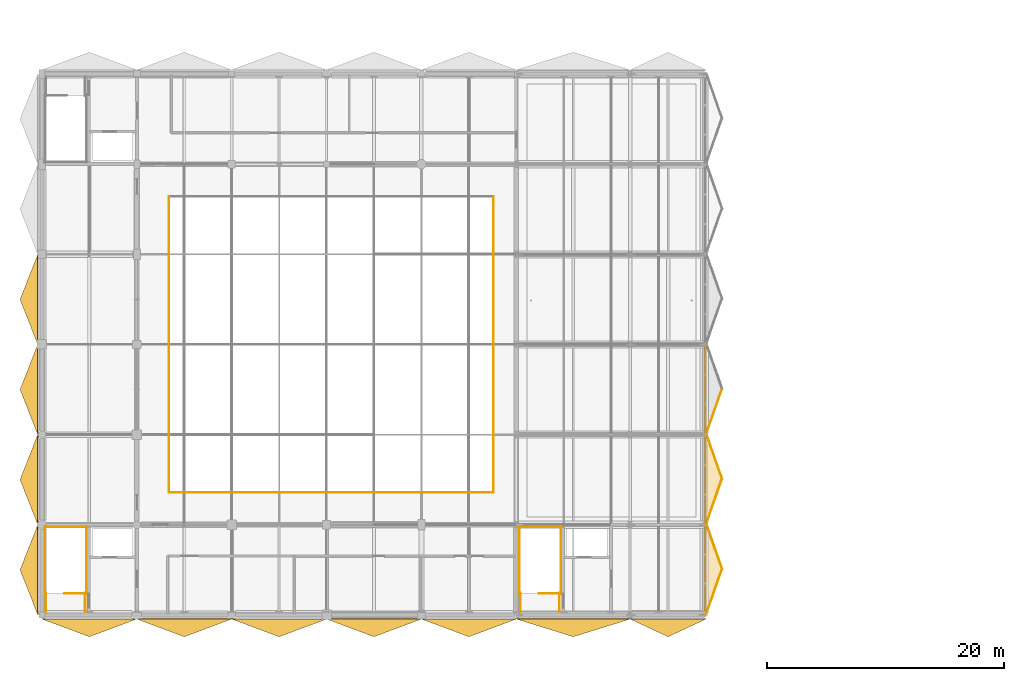
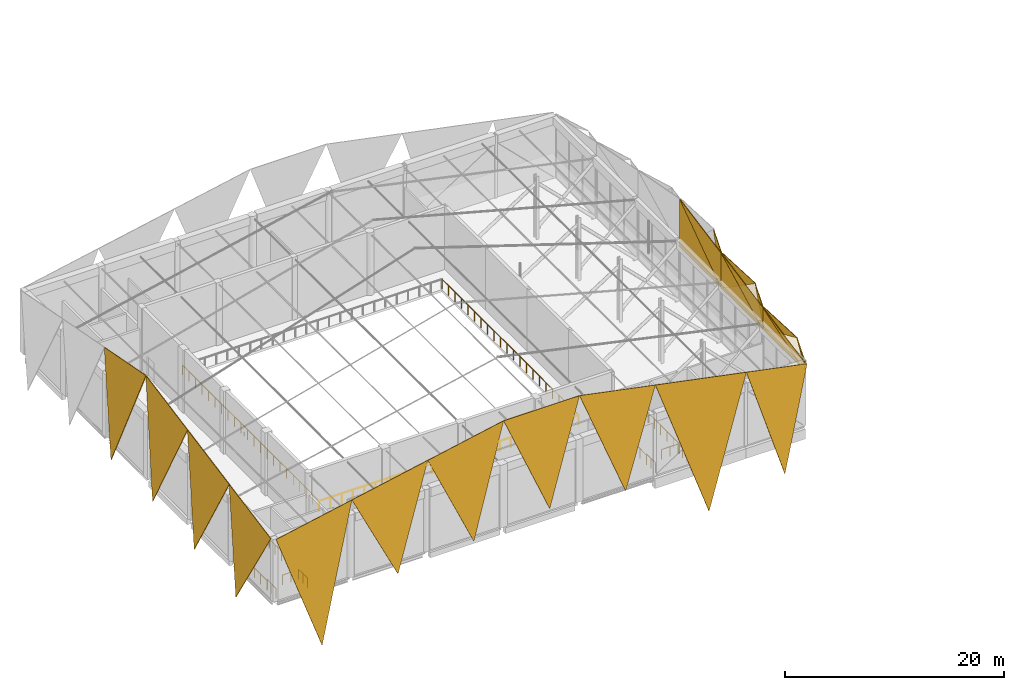
# One storey, part 42 of 46: 24 coverings, 15 railings.
"""IFC4 building model written with IfcOpenShell, lengths in metres."""

from ifc_helpers import new_model, si_unit, direction, frame, origin, origin_2d, place, context, subcontext, project, spatial, polyline, circle, outline, extrude, material, layer, layer_set, type_object, element, save


model = new_model("IFC4")

# Units and contexts
model_context = context("Model", 3, precision=1e-05, world=origin(), true_north=direction((0.0, 1.0)))
body_context = subcontext(model_context, "Body", "Model", "MODEL_VIEW")
ifc_project = project(units=[si_unit("LENGTHUNIT", "METRE"), si_unit("AREAUNIT", "SQUARE_METRE"), si_unit("VOLUMEUNIT", "CUBIC_METRE"), si_unit("PLANEANGLEUNIT", "RADIAN"), si_unit("MASSUNIT", "GRAM", prefix="KILO")], contexts=[model_context])

# Site, building, storey
site_placement = place(None, origin())
site = spatial("IfcSite", under=ifc_project, at=site_placement, CompositionType="ELEMENT")
building_placement = place(site_placement, origin())
building = spatial("IfcBuilding", under=site, at=building_placement, Name="Khelvaren Railside Concert Hall", CompositionType="ELEMENT")
storey_placement = place(building_placement, frame((0.0, 0.0, 19.800048828125)))
storey = spatial("IfcBuildingStorey", under=building, at=storey_placement, Name="L04", CompositionType="ELEMENT", Elevation=19.800048828125)

# Coverings
ifc_material_1 = material(Name="Precast architectural concrete C45/55", Category="concrete")
ifc_layer_1 = layer(ifc_material_1, 0.06005859375)
ifc_layer_set_1 = layer_set([ifc_layer_1], Name="Precast architectural concrete C45/55")
covering_type_1 = type_object("IfcCoveringType", Name="CLD31", PredefinedType="CLADDING", material=ifc_layer_set_1)
covering_1_placement = place(storey_placement, frame((0.0, -0.35498046875, 7.0), z_axis=(-0.022863849771, -0.993284884154, 0.113412447666), x_axis=(0.980278058899, 0.0, 0.197623195101)))
element("IfcCovering", 1, at=covering_1_placement, inside=storey, type_object=covering_type_1, Name="Main Hall Cut-Crystal Upper Facet S-1", PredefinedType="CLADDING", context=body_context, shape_type="SweptSolid", body=[
    extrude(outline(polyline([(0.0, 0.0), (8.160949770709868, 2.220446049250313e-16), (1.4927014309444315, -12.923013342475494), (0.0, 0.0)])), origin(), (0.0, 0.0, -1.0), 0.06005859375),
])
covering_2_placement = place(storey_placement, frame((16.0, -0.35498046875, 10.2255859375), z_axis=(-0.02888543386, -0.989260344965, 0.143281546582), x_axis=(0.980278058899, 0.0, 0.197623195101)))
element("IfcCovering", 2, at=covering_2_placement, inside=storey, type_object=covering_type_1, Name="Main Hall Cut-Crystal Upper Facet S-3", PredefinedType="CLADDING", context=body_context, shape_type="SweptSolid", body=[
    extrude(outline(polyline([(0.0, 0.0), (8.160949770709868, 0.0), (2.040459276155999, -10.229025365477508), (0.0, 0.0)])), origin(), (0.0, 0.0, -1.0), 0.06005859375),
])
covering_3_placement = place(storey_placement, frame((32.0, -0.35498046875, 11.83837890625), z_axis=(0.02888543386, -0.989260344965, 0.143281546582), x_axis=(0.980278058899, 0.0, -0.197623195101)))
element("IfcCovering", 3, at=covering_3_placement, inside=storey, type_object=covering_type_1, Name="Main Hall Cut-Crystal Upper Facet S-5", PredefinedType="CLADDING", context=body_context, shape_type="SweptSolid", body=[
    extrude(outline(polyline([(0.0, 0.0), (8.160949770709868, 0.0), (6.120490494553868, -10.229025365477508), (0.0, 0.0)])), origin(), (0.0, 0.0, -1.0), 0.06005859375),
])
covering_4_placement = place(storey_placement, frame((49.60009765625, -0.35498046875, 8.2900390625), z_axis=(0.027340360851, -0.990381442146, 0.135635923421), x_axis=(0.980283269929, 0.0, -0.197597344865)))
element("IfcCovering", 4, at=covering_4_placement, inside=storey, type_object=covering_type_1, Name="Main Hall Cut-Crystal Upper Facet S-7", PredefinedType="CLADDING", context=body_context, shape_type="SweptSolid", body=[
    extrude(outline(polyline([(0.0, 0.0), (6.52862549027838, 0.0), (5.421481415306211, -10.805679856202653), (0.0, 0.0)])), origin(), (0.0, 0.0, -1.0), 0.06005859375),
])
covering_5_placement = place(storey_placement, frame((-0.35498046875, 0.0, 7.0), z_axis=(-0.986078035096, -0.031242573654, 0.163321799806), x_axis=(0.0, 0.982190514712, 0.187887713303)))
element("IfcCovering", 5, at=covering_5_placement, inside=storey, type_object=covering_type_1, Name="Main Hall Cut-Crystal West Upper Facet 1", PredefinedType="CLADDING", context=body_context, shape_type="SweptSolid", body=[
    extrude(outline(polyline([(0.0, 0.0), (7.7379057753165865, 2.220446049250313e-16), (2.1728947198101594, 8.99138952478272), (0.0, 0.0)])), origin(), (0.0, 0.0, -1.0), 0.06005859375),
])
covering_6_placement = place(storey_placement, frame((-0.35498046875, 15.199951171875, 9.90771484375), z_axis=(-0.989616783712, -0.027005302669, 0.141171296741), x_axis=(0.0, 0.982190514712, 0.187887713303)))
element("IfcCovering", 6, at=covering_6_placement, inside=storey, type_object=covering_type_1, Name="Main Hall Cut-Crystal West Upper Facet 3", PredefinedType="CLADDING", context=body_context, shape_type="SweptSolid", body=[
    extrude(outline(polyline([(0.0, 0.0), (7.7379057753165865, 0.0), (1.8997327733460925, 10.402184819746088), (0.0, 0.0)])), origin(), (0.0, 0.0, -1.0), 0.06005859375),
])
covering_7_placement = place(storey_placement, frame((55.97998046875, 0.0, 6.02001953125), z_axis=(1.0, 0.0, 0.0), x_axis=(0.0, 1.0, 0.0)))
element("IfcCovering", 7, at=covering_7_placement, inside=storey, type_object=covering_type_1, Name="Main Hall East Gable Infill Cladding Panel 1A", PredefinedType="CLADDING", context=body_context, shape_type="SweptSolid", body=[
    extrude(outline(polyline([(0.0, 0.0), (7.60009765625, 0.0), (7.60009765625, 2.433837890625), (0.0, 0.0)])), origin(), (0.0, 0.0, -1.0), 0.06005859375),
])
covering_8_placement = place(storey_placement, frame((56.02001953125, 0.0, 7.0), z_axis=(0.943853629361, -0.330363930148, 0.0), x_axis=(0.0, 0.0, -1.0)))
element("IfcCovering", 8, at=covering_8_placement, inside=storey, type_object=covering_type_1, Name="Main Hall East Plaza Crystal Brow South Flank 1", PredefinedType="CLADDING", context=body_context, shape_type="SweptSolid", body=[
    extrude(outline(polyline([(0.0, 0.0), (0.97998046875, 0.0), (0.123046875, 4.02609971495214), (0.0, 0.0)])), origin(), (0.0, 0.0, -1.0), 0.06005859375),
])
covering_9_placement = place(storey_placement, frame((55.97998046875, 7.60009765625, 6.02001953125), z_axis=(1.0, 0.0, 0.0), x_axis=(0.0, 0.890276748559, 0.455419928171)))
element("IfcCovering", 9, at=covering_9_placement, inside=storey, type_object=covering_type_1, Name="Main Hall East Gable Infill Cladding Panel 2B", PredefinedType="CLADDING", context=body_context, shape_type="SweptSolid", body=[
    extrude(outline(polyline([(0.0, 0.0), (8.536506797384522, 0.0), (1.1084182773294042, 2.166789283784666), (0.0, 0.0)])), origin(), (0.0, 0.0, -1.0), 0.06005859375),
])
covering_10_placement = place(storey_placement, frame((56.02001953125, 7.60009765625, 6.02001953125), z_axis=(-0.866683642513, 0.0, 0.498858160001), x_axis=(0.0, 1.0, 0.0)))
element("IfcCovering", 10, at=covering_10_placement, inside=storey, type_object=covering_type_1, Name="Main Hall East Plaza Crystal Brow Lower Facet 2", PredefinedType="CLADDING", context=body_context, shape_type="SweptSolid", body=[
    extrude(outline(polyline([(0.0, 0.0), (7.599853515625, 0.0), (3.7998046875, -2.6662451006043564), (0.0, 0.0)])), origin(), (0.0, 0.0, -1.0), 0.06005859375),
])
covering_11_placement = place(storey_placement, frame((56.02001953125, 15.199951171875, 9.90771484375), z_axis=(-0.943853629361, -0.330363930148, 0.0), x_axis=(0.0, 0.0, -1.0)))
element("IfcCovering", 11, at=covering_11_placement, inside=storey, type_object=covering_type_1, Name="Main Hall East Plaza Crystal Brow North Flank 2", PredefinedType="CLADDING", context=body_context, shape_type="SweptSolid", body=[
    extrude(outline(polyline([(0.0, 0.0), (3.8876953125, 0.0), (1.576904296875, 4.02609971495214), (0.0, 0.0)])), origin(), (0.0, 0.0, -1.0), 0.06005859375),
])
covering_12_placement = place(storey_placement, frame((55.97998046875, 15.199951171875, 6.02001953125), z_axis=(1.0, 0.0, 0.0), x_axis=(0.0, 1.0, 0.0)))
element("IfcCovering", 12, at=covering_12_placement, inside=storey, type_object=covering_type_1, Name="Main Hall East Gable Infill Cladding Panel 3A", PredefinedType="CLADDING", context=body_context, shape_type="SweptSolid", body=[
    extrude(outline(polyline([(0.0, 0.0), (7.60009765625, 0.0), (7.60009765625, 5.341552734375), (0.0, 0.0)])), origin(), (0.0, 0.0, -1.0), 0.06005859375),
])
covering_13_placement = place(storey_placement, frame((56.02001953125, 15.199951171875, 9.90771484375), z_axis=(0.943853629361, -0.330363930148, 0.0), x_axis=(0.0, 0.0, -1.0)))
element("IfcCovering", 13, at=covering_13_placement, inside=storey, type_object=covering_type_1, Name="Main Hall East Plaza Crystal Brow South Flank 3", PredefinedType="CLADDING", context=body_context, shape_type="SweptSolid", body=[
    extrude(outline(polyline([(0.0, 0.0), (3.8876953125, 0.0), (0.123046875, 4.02609971495214), (0.0, 0.0)])), origin(), (0.0, 0.0, -1.0), 0.06005859375),
])
ifc_material_2 = material(Name="Board-marked precast concrete C45/55", Category="concrete")
ifc_layer_2 = layer(ifc_material_2, 0.070068359375)
ifc_layer_set_2 = layer_set([ifc_layer_2], Name="Board-marked precast concrete C45/55")
covering_type_2 = type_object("IfcCoveringType", Name="CLD68", PredefinedType="CLADDING", material=ifc_layer_set_2)
covering_14_placement = place(storey_placement, frame((8.0, -0.35498046875, 8.61279296875), z_axis=(-0.031171245565, -0.987482164505, 0.154619947724), x_axis=(0.980278058899, 0.0, 0.197623195101)))
element("IfcCovering", 14, at=covering_14_placement, inside=storey, type_object=covering_type_2, Name="Main Hall Cut-Crystal Upper Facet S-2", PredefinedType="CLADDING", context=body_context, shape_type="SweptSolid", body=[
    extrude(outline(polyline([(0.0, 0.0), (8.160949770709868, 0.0), (2.1934532096683643, -9.478922971862874), (0.0, 0.0)])), origin(), (0.0, 0.0, -1.0), 0.070068359375),
])
covering_15_placement = place(storey_placement, frame((24.0, -0.35498046875, 11.83837890625), z_axis=(0.0, -0.989609532386, 0.143780991135), x_axis=(1.0, 0.0, 0.0)))
element("IfcCovering", 15, at=covering_15_placement, inside=storey, type_object=covering_type_2, Name="Main Hall Cut-Crystal Upper Facet S-4", PredefinedType="CLADDING", context=body_context, shape_type="SweptSolid", body=[
    extrude(outline(polyline([(0.0, 0.0), (8.0, 0.0), (4.0, -10.398573383730307), (0.0, 0.0)])), origin(), (0.0, 0.0, -1.0), 0.070068359375),
])
covering_16_placement = place(storey_placement, frame((40.0, -0.35498046875, 10.2255859375), z_axis=(0.021595443872, -0.994012509736, 0.107111004533), x_axis=(0.980274584619, 0.0, -0.197640427925)))
element("IfcCovering", 16, at=covering_16_placement, inside=storey, type_object=covering_type_2, Name="Main Hall Cut-Crystal Upper Facet S-6", PredefinedType="CLADDING", context=body_context, shape_type="SweptSolid", body=[
    extrude(outline(polyline([(0.0, 0.0), (9.793274054924582, -2.220446049250313e-16), (7.638897964918699, -13.683238116588436), (0.0, 0.0)])), origin(), (0.0, 0.0, -1.0), 0.070068359375),
])
covering_17_placement = place(storey_placement, frame((-0.35498046875, 7.60009765625, 8.453857421875), z_axis=(-0.988039769187, -0.028973045866, 0.151452887452), x_axis=(0.0, 0.982189400844, 0.187893535996)))
element("IfcCovering", 17, at=covering_17_placement, inside=storey, type_object=covering_type_2, Name="Main Hall Cut-Crystal West Upper Facet 2", PredefinedType="CLADDING", context=body_context, shape_type="SweptSolid", body=[
    extrude(outline(polyline([(0.0, 0.0), (7.737665982846423, -2.220446049250313e-16), (2.0360400963902396, 9.696006984686937), (0.0, 0.0)])), origin(), (0.0, 0.0, -1.0), 0.070068359375),
])
covering_18_placement = place(storey_placement, frame((-0.35498046875, 22.800048828125, 11.361572265625), z_axis=(-0.989616714975, 0.027006228494, 0.141171601477), x_axis=(0.0, 0.982189400844, -0.187893535996)))
element("IfcCovering", 18, at=covering_18_placement, inside=storey, type_object=covering_type_2, Name="Main Hall Cut-Crystal West Upper Facet 4", PredefinedType="CLADDING", context=body_context, shape_type="SweptSolid", body=[
    extrude(outline(polyline([(0.0, 0.0), (7.737665982846423, -2.220446049250313e-16), (5.838234028594089, 10.402150568630466), (0.0, 0.0)])), origin(), (0.0, 0.0, -1.0), 0.070068359375),
])
covering_19_placement = place(storey_placement, frame((55.97998046875, 0.0, 6.02001953125), z_axis=(1.0, 0.0, 0.0), x_axis=(0.0, 0.952358410169, 0.304981079055)))
element("IfcCovering", 19, at=covering_19_placement, inside=storey, type_object=covering_type_2, Name="Main Hall East Gable Infill Cladding Panel 1B", PredefinedType="CLADDING", context=body_context, shape_type="SweptSolid", body=[
    extrude(outline(polyline([(0.0, 0.0), (7.980291427158453, 4.440892098500626e-16), (0.29887550081181274, 0.9332926412149395), (0.0, 0.0)])), origin(), (0.0, 0.0, -1.0), 0.070068359375),
])
covering_20_placement = place(storey_placement, frame((56.02001953125, 0.0, 6.02001953125), z_axis=(-0.54159957451, 0.0, 0.840636604539), x_axis=(0.0, 1.0, 0.0)))
element("IfcCovering", 20, at=covering_20_placement, inside=storey, type_object=covering_type_2, Name="Main Hall East Plaza Crystal Brow Lower Facet 1", PredefinedType="CLADDING", context=body_context, shape_type="SweptSolid", body=[
    extrude(outline(polyline([(0.0, 0.0), (7.60009765625, 0.0), (3.800048828125, -1.5822272285297097), (0.0, 0.0)])), origin(), (0.0, 0.0, -1.0), 0.070068359375),
])
covering_21_placement = place(storey_placement, frame((56.02001953125, 7.60009765625, 8.453857421875), z_axis=(-0.943853629361, -0.330363930148, 0.0), x_axis=(0.0, 0.0, -1.0)))
element("IfcCovering", 21, at=covering_21_placement, inside=storey, type_object=covering_type_2, Name="Main Hall East Plaza Crystal Brow North Flank 1", PredefinedType="CLADDING", context=body_context, shape_type="SweptSolid", body=[
    extrude(outline(polyline([(0.0, 0.0), (2.433837890625, 0.0), (1.576904296875, 4.02609971495214), (0.0, 0.0)])), origin(), (0.0, 0.0, -1.0), 0.070068359375),
])
covering_22_placement = place(storey_placement, frame((55.97998046875, 7.60009765625, 6.02001953125), z_axis=(1.0, 0.0, 0.0), x_axis=(0.0, 1.0, 0.0)))
element("IfcCovering", 22, at=covering_22_placement, inside=storey, type_object=covering_type_2, Name="Main Hall East Gable Infill Cladding Panel 2A", PredefinedType="CLADDING", context=body_context, shape_type="SweptSolid", body=[
    extrude(outline(polyline([(0.0, 0.0), (7.599853515625, 0.0), (7.599853515625, 3.8876953125), (0.0, 0.0)])), origin(), (0.0, 0.0, -1.0), 0.070068359375),
])
covering_23_placement = place(storey_placement, frame((56.02001953125, 7.60009765625, 8.453857421875), z_axis=(0.943847010579, -0.330382839478, 0.0), x_axis=(0.0, 0.0, -1.0)))
element("IfcCovering", 23, at=covering_23_placement, inside=storey, type_object=covering_type_2, Name="Main Hall East Plaza Crystal Brow South Flank 2", PredefinedType="CLADDING", context=body_context, shape_type="SweptSolid", body=[
    extrude(outline(polyline([(0.0, 0.0), (2.433837890625, 0.0), (0.123046875, 4.025869282745093), (0.0, 0.0)])), origin(), (0.0, 0.0, -1.0), 0.070068359375),
])
covering_24_placement = place(storey_placement, frame((55.97998046875, 15.199951171875, 6.02001953125), z_axis=(1.0, 0.0, 0.0), x_axis=(0.0, 0.818143911779, 0.575013512554)))
element("IfcCovering", 24, at=covering_24_placement, inside=storey, type_object=covering_type_2, Name="Main Hall East Gable Infill Cladding Panel 3B", PredefinedType="CLADDING", context=body_context, shape_type="SweptSolid", body=[
    extrude(outline(polyline([(0.0, 0.0), (9.28943862666877, -8.881784197001252e-16), (2.2354773373800882, 3.1806942507720706), (0.0, 0.0)])), origin(), (0.0, 0.0, -1.0), 0.070068359375),
])

# Railings
ifc_material_3 = material(Name="Painted architectural steel", Category="steel")
railing_type_1 = type_object("IfcRailingType", Name="GRD86", PredefinedType="GUARDRAIL", material=ifc_material_3)
railing_1_placement = place(storey_placement, frame((3.699951171875, 1.7900390625, 0.0)))
element("IfcRailing", 25, at=railing_1_placement, inside=storey, type_object=railing_type_1, Name="L04 ST-01 top well guard 1", PredefinedType="GUARDRAIL", context=body_context, shape_type="SweptSolid", body=[
    extrude(circle(Radius=0.02392578125, at=origin_2d()), frame((0.0, 0.0, 1.076171875), z_axis=(-1.0, 0.0, 0.0), x_axis=(0.0, -1.0, 0.0)), (0.0, 0.0, 1.0), 1.800048828125),
    extrude(circle(Radius=0.02099609375, at=origin_2d()), origin(), (0.0, 0.0, 1.0), 1.052001953125),
    extrude(circle(Radius=0.02099609375, at=origin_2d()), frame((-0.89990234375, 0.0, 0.0)), (0.0, 0.0, 1.0), 1.052001953125),
    extrude(circle(Radius=0.02099609375, at=origin_2d()), frame((-1.800048828125, 0.0, 0.0)), (0.0, 0.0, 1.0), 1.052001953125),
])
for number, where, name in (
    (26, (3.75, 1.739990234375, 0.0), "L04 ST-01 top well guard 2"),
    (27, (0.25, 1.739990234375, 0.0), "L04 ST-01 top well guard 3"),
):
    element("IfcRailing", number, at=place(storey_placement, frame(where)), inside=storey, type_object=railing_type_1, Name=name, PredefinedType="GUARDRAIL", context=body_context, shape_type="SweptSolid", body=[
        extrude(circle(Radius=0.02392578125, at=origin_2d()), frame((0.0, 0.0, 1.076171875), z_axis=(0.0, 1.0, 0.0), x_axis=(-1.0, 0.0, 0.0)), (0.0, 0.0, 1.0), 5.719970703125),
        extrude(circle(Radius=0.02099609375, at=origin_2d()), origin(), (0.0, 0.0, 1.0), 1.052001953125),
        extrude(circle(Radius=0.02099609375, at=origin_2d()), frame((0.0, 1.14404296875, 0.0)), (0.0, 0.0, 1.0), 1.052001953125),
        extrude(circle(Radius=0.02099609375, at=origin_2d()), frame((0.0, 2.2880859375, 0.0)), (0.0, 0.0, 1.0), 1.052001953125),
        extrude(circle(Radius=0.02099609375, at=origin_2d()), frame((0.0, 3.431884765625, 0.0)), (0.0, 0.0, 1.0), 1.052001953125),
        extrude(circle(Radius=0.02099609375, at=origin_2d()), frame((0.0, 4.575927734375, 0.0)), (0.0, 0.0, 1.0), 1.052001953125),
        extrude(circle(Radius=0.02099609375, at=origin_2d()), frame((0.0, 5.719970703125, 0.0)), (0.0, 0.0, 1.0), 1.052001953125),
    ])
railing_2_placement = place(storey_placement, frame((3.800048828125, 7.409912109375, 0.0)))
element("IfcRailing", 28, at=railing_2_placement, inside=storey, type_object=railing_type_1, Name="L04 ST-01 top well guard 4", PredefinedType="GUARDRAIL", context=body_context, shape_type="SweptSolid", body=[
    extrude(circle(Radius=0.02392578125, at=origin_2d()), frame((0.0, 0.0, 1.076171875), z_axis=(-1.0, 0.0, 0.0), x_axis=(0.0, -1.0, 0.0)), (0.0, 0.0, 1.0), 3.60009765625),
    extrude(circle(Radius=0.02099609375, at=origin_2d()), origin(), (0.0, 0.0, 1.0), 1.052001953125),
    extrude(circle(Radius=0.02099609375, at=origin_2d()), frame((-0.89990234375, 0.0, 0.0)), (0.0, 0.0, 1.0), 1.052001953125),
    extrude(circle(Radius=0.02099609375, at=origin_2d()), frame((-1.800048828125, 0.0, 0.0)), (0.0, 0.0, 1.0), 1.052001953125),
    extrude(circle(Radius=0.02099609375, at=origin_2d()), frame((-2.7001953125, 0.0, 0.0)), (0.0, 0.0, 1.0), 1.052001953125),
    extrude(circle(Radius=0.02099609375, at=origin_2d()), frame((-3.60009765625, 0.0, 0.0)), (0.0, 0.0, 1.0), 1.052001953125),
])
for number, where, name in (
    (29, (3.64990234375, 0.239990234375, 0.0), "L04 ST-01 top well guard 5"),
    (30, (0.35009765625, 0.239990234375, 0.0), "L04 ST-01 top well guard 6"),
):
    element("IfcRailing", number, at=place(storey_placement, frame(where)), inside=storey, type_object=railing_type_1, Name=name, PredefinedType="GUARDRAIL", context=body_context, shape_type="SweptSolid", body=[
        extrude(circle(Radius=0.02392578125, at=origin_2d()), frame((0.0, 0.0, 1.076171875), z_axis=(0.0, 1.0, 0.0), x_axis=(-1.0, 0.0, 0.0)), (0.0, 0.0, 1.0), 1.60009765625),
        extrude(circle(Radius=0.02099609375, at=origin_2d()), origin(), (0.0, 0.0, 1.0), 1.052001953125),
        extrude(circle(Radius=0.02099609375, at=origin_2d()), frame((0.0, 0.800048828125, 0.0)), (0.0, 0.0, 1.0), 1.052001953125),
        extrude(circle(Radius=0.02099609375, at=origin_2d()), frame((0.0, 1.60009765625, 0.0)), (0.0, 0.0, 1.0), 1.052001953125),
    ])
railing_3_placement = place(storey_placement, frame((43.699951171875, 1.7900390625, 0.0)))
element("IfcRailing", 31, at=railing_3_placement, inside=storey, type_object=railing_type_1, Name="L04 ST-02 top well guard 1", PredefinedType="GUARDRAIL", context=body_context, shape_type="SweptSolid", body=[
    extrude(circle(Radius=0.02392578125, at=origin_2d()), frame((0.0, 0.0, 1.076171875), z_axis=(-1.0, 0.0, 0.0), x_axis=(0.0, -1.0, 0.0)), (0.0, 0.0, 1.0), 1.800048828125),
    extrude(circle(Radius=0.02099609375, at=origin_2d()), origin(), (0.0, 0.0, 1.0), 1.052001953125),
    extrude(circle(Radius=0.02099609375, at=origin_2d()), frame((-0.89990234375, 0.0, 0.0)), (0.0, 0.0, 1.0), 1.052001953125),
    extrude(circle(Radius=0.02099609375, at=origin_2d()), frame((-1.800048828125, 0.0, 0.0)), (0.0, 0.0, 1.0), 1.052001953125),
])
for number, where, name in (
    (32, (43.75, 1.739990234375, 0.0), "L04 ST-02 top well guard 2"),
    (33, (40.25, 1.739990234375, 0.0), "L04 ST-02 top well guard 3"),
):
    element("IfcRailing", number, at=place(storey_placement, frame(where)), inside=storey, type_object=railing_type_1, Name=name, PredefinedType="GUARDRAIL", context=body_context, shape_type="SweptSolid", body=[
        extrude(circle(Radius=0.02392578125, at=origin_2d()), frame((0.0, 0.0, 1.076171875), z_axis=(0.0, 1.0, 0.0), x_axis=(-1.0, 0.0, 0.0)), (0.0, 0.0, 1.0), 5.719970703125),
        extrude(circle(Radius=0.02099609375, at=origin_2d()), origin(), (0.0, 0.0, 1.0), 1.052001953125),
        extrude(circle(Radius=0.02099609375, at=origin_2d()), frame((0.0, 1.14404296875, 0.0)), (0.0, 0.0, 1.0), 1.052001953125),
        extrude(circle(Radius=0.02099609375, at=origin_2d()), frame((0.0, 2.2880859375, 0.0)), (0.0, 0.0, 1.0), 1.052001953125),
        extrude(circle(Radius=0.02099609375, at=origin_2d()), frame((0.0, 3.431884765625, 0.0)), (0.0, 0.0, 1.0), 1.052001953125),
        extrude(circle(Radius=0.02099609375, at=origin_2d()), frame((0.0, 4.575927734375, 0.0)), (0.0, 0.0, 1.0), 1.052001953125),
        extrude(circle(Radius=0.02099609375, at=origin_2d()), frame((0.0, 5.719970703125, 0.0)), (0.0, 0.0, 1.0), 1.052001953125),
    ])
railing_4_placement = place(storey_placement, frame((43.800048828125, 7.409912109375, 0.0)))
element("IfcRailing", 34, at=railing_4_placement, inside=storey, type_object=railing_type_1, Name="L04 ST-02 top well guard 4", PredefinedType="GUARDRAIL", context=body_context, shape_type="SweptSolid", body=[
    extrude(circle(Radius=0.02392578125, at=origin_2d()), frame((0.0, 0.0, 1.076171875), z_axis=(-1.0, 0.0, 0.0), x_axis=(0.0, -1.0, 0.0)), (0.0, 0.0, 1.0), 3.60009765625),
    extrude(circle(Radius=0.02099609375, at=origin_2d()), origin(), (0.0, 0.0, 1.0), 1.052001953125),
    extrude(circle(Radius=0.02099609375, at=origin_2d()), frame((-0.89990234375, 0.0, 0.0)), (0.0, 0.0, 1.0), 1.052001953125),
    extrude(circle(Radius=0.02099609375, at=origin_2d()), frame((-1.800048828125, 0.0, 0.0)), (0.0, 0.0, 1.0), 1.052001953125),
    extrude(circle(Radius=0.02099609375, at=origin_2d()), frame((-2.7001953125, 0.0, 0.0)), (0.0, 0.0, 1.0), 1.052001953125),
    extrude(circle(Radius=0.02099609375, at=origin_2d()), frame((-3.60009765625, 0.0, 0.0)), (0.0, 0.0, 1.0), 1.052001953125),
])
for number, where, name in (
    (35, (43.64990234375, 0.239990234375, 0.0), "L04 ST-02 top well guard 5"),
    (36, (40.35009765625, 0.239990234375, 0.0), "L04 ST-02 top well guard 6"),
):
    element("IfcRailing", number, at=place(storey_placement, frame(where)), inside=storey, type_object=railing_type_1, Name=name, PredefinedType="GUARDRAIL", context=body_context, shape_type="SweptSolid", body=[
        extrude(circle(Radius=0.02392578125, at=origin_2d()), frame((0.0, 0.0, 1.076171875), z_axis=(0.0, 1.0, 0.0), x_axis=(-1.0, 0.0, 0.0)), (0.0, 0.0, 1.0), 1.60009765625),
        extrude(circle(Radius=0.02099609375, at=origin_2d()), origin(), (0.0, 0.0, 1.0), 1.052001953125),
        extrude(circle(Radius=0.02099609375, at=origin_2d()), frame((0.0, 0.800048828125, 0.0)), (0.0, 0.0, 1.0), 1.052001953125),
        extrude(circle(Radius=0.02099609375, at=origin_2d()), frame((0.0, 1.60009765625, 0.0)), (0.0, 0.0, 1.0), 1.052001953125),
    ])
ifc_material_4 = material(Name="Acoustic bronze and laminated glass guardrail", Category="glass")
railing_type_2 = type_object("IfcRailingType", Name="GRD91", PredefinedType="GUARDRAIL", material=ifc_material_4)
railing_5_placement = place(storey_placement, frame((10.719970703125, 10.320068359375, 0.0)))
element("IfcRailing", 37, at=railing_5_placement, inside=storey, type_object=railing_type_2, Name="V1 L04 Acoustic Bowl Edge Guardrail S", PredefinedType="GUARDRAIL", context=body_context, shape_type="SweptSolid", body=[
    extrude(circle(Radius=0.02392578125, at=origin_2d()), frame((0.0, 0.0, 1.076171875), z_axis=(1.0, 0.0, 0.0), x_axis=(0.0, 1.0, 0.0)), (0.0, 0.0, 1.0), 27.360107421875),
    extrude(circle(Radius=0.02099609375, at=origin_2d()), origin(), (0.0, 0.0, 1.0), 1.052001953125),
    extrude(circle(Radius=0.02099609375, at=origin_2d()), frame((1.189453125, 0.0, 0.0)), (0.0, 0.0, 1.0), 1.052001953125),
    extrude(circle(Radius=0.02099609375, at=origin_2d()), frame((2.379150390625, 0.0, 0.0)), (0.0, 0.0, 1.0), 1.052001953125),
    extrude(circle(Radius=0.02099609375, at=origin_2d()), frame((3.568603515625, 0.0, 0.0)), (0.0, 0.0, 1.0), 1.052001953125),
    extrude(circle(Radius=0.02099609375, at=origin_2d()), frame((4.75830078125, 0.0, 0.0)), (0.0, 0.0, 1.0), 1.052001953125),
    extrude(circle(Radius=0.02099609375, at=origin_2d()), frame((5.94775390625, 0.0, 0.0)), (0.0, 0.0, 1.0), 1.052001953125),
    extrude(circle(Radius=0.02099609375, at=origin_2d()), frame((7.137451171875, 0.0, 0.0)), (0.0, 0.0, 1.0), 1.052001953125),
    extrude(circle(Radius=0.02099609375, at=origin_2d()), frame((8.326904296875, 0.0, 0.0)), (0.0, 0.0, 1.0), 1.052001953125),
    extrude(circle(Radius=0.02099609375, at=origin_2d()), frame((9.5166015625, 0.0, 0.0)), (0.0, 0.0, 1.0), 1.052001953125),
    extrude(circle(Radius=0.02099609375, at=origin_2d()), frame((10.7060546875, 0.0, 0.0)), (0.0, 0.0, 1.0), 1.052001953125),
    extrude(circle(Radius=0.02099609375, at=origin_2d()), frame((11.895751953125, 0.0, 0.0)), (0.0, 0.0, 1.0), 1.052001953125),
    extrude(circle(Radius=0.02099609375, at=origin_2d()), frame((13.085205078125, 0.0, 0.0)), (0.0, 0.0, 1.0), 1.052001953125),
    extrude(circle(Radius=0.02099609375, at=origin_2d()), frame((14.27490234375, 0.0, 0.0)), (0.0, 0.0, 1.0), 1.052001953125),
    extrude(circle(Radius=0.02099609375, at=origin_2d()), frame((15.46435546875, 0.0, 0.0)), (0.0, 0.0, 1.0), 1.052001953125),
    extrude(circle(Radius=0.02099609375, at=origin_2d()), frame((16.654052734375, 0.0, 0.0)), (0.0, 0.0, 1.0), 1.052001953125),
    extrude(circle(Radius=0.02099609375, at=origin_2d()), frame((17.843505859375, 0.0, 0.0)), (0.0, 0.0, 1.0), 1.052001953125),
    extrude(circle(Radius=0.02099609375, at=origin_2d()), frame((19.033203125, 0.0, 0.0)), (0.0, 0.0, 1.0), 1.052001953125),
    extrude(circle(Radius=0.02099609375, at=origin_2d()), frame((20.22265625, 0.0, 0.0)), (0.0, 0.0, 1.0), 1.052001953125),
    extrude(circle(Radius=0.02099609375, at=origin_2d()), frame((21.412353515625, 0.0, 0.0)), (0.0, 0.0, 1.0), 1.052001953125),
    extrude(circle(Radius=0.02099609375, at=origin_2d()), frame((22.601806640625, 0.0, 0.0)), (0.0, 0.0, 1.0), 1.052001953125),
    extrude(circle(Radius=0.02099609375, at=origin_2d()), frame((23.79150390625, 0.0, 0.0)), (0.0, 0.0, 1.0), 1.052001953125),
    extrude(circle(Radius=0.02099609375, at=origin_2d()), frame((24.98095703125, 0.0, 0.0)), (0.0, 0.0, 1.0), 1.052001953125),
    extrude(circle(Radius=0.02099609375, at=origin_2d()), frame((26.170654296875, 0.0, 0.0)), (0.0, 0.0, 1.0), 1.052001953125),
    extrude(circle(Radius=0.02099609375, at=origin_2d()), frame((27.360107421875, 0.0, 0.0)), (0.0, 0.0, 1.0), 1.052001953125),
])
railing_6_placement = place(storey_placement, frame((10.719970703125, 35.280029296875, 0.0)))
element("IfcRailing", 38, at=railing_6_placement, inside=storey, type_object=railing_type_2, Name="V1 L04 Acoustic Bowl Edge Guardrail W", PredefinedType="GUARDRAIL", context=body_context, shape_type="SweptSolid", body=[
    extrude(circle(Radius=0.02392578125, at=origin_2d()), frame((0.0, 0.0, 1.076171875), z_axis=(0.0, -1.0, 0.0), x_axis=(1.0, 0.0, 0.0)), (0.0, 0.0, 1.0), 24.9599609375),
    extrude(circle(Radius=0.02099609375, at=origin_2d()), origin(), (0.0, 0.0, 1.0), 1.052001953125),
    extrude(circle(Radius=0.02099609375, at=origin_2d()), frame((0.0, -1.1884765625, 0.0)), (0.0, 0.0, 1.0), 1.052001953125),
    extrude(circle(Radius=0.02099609375, at=origin_2d()), frame((0.0, -2.377197265625, 0.0)), (0.0, 0.0, 1.0), 1.052001953125),
    extrude(circle(Radius=0.02099609375, at=origin_2d()), frame((0.0, -3.565673828125, 0.0)), (0.0, 0.0, 1.0), 1.052001953125),
    extrude(circle(Radius=0.02099609375, at=origin_2d()), frame((0.0, -4.75439453125, 0.0)), (0.0, 0.0, 1.0), 1.052001953125),
    extrude(circle(Radius=0.02099609375, at=origin_2d()), frame((0.0, -5.94287109375, 0.0)), (0.0, 0.0, 1.0), 1.052001953125),
    extrude(circle(Radius=0.02099609375, at=origin_2d()), frame((0.0, -7.13134765625, 0.0)), (0.0, 0.0, 1.0), 1.052001953125),
    extrude(circle(Radius=0.02099609375, at=origin_2d()), frame((0.0, -8.320068359375, 0.0)), (0.0, 0.0, 1.0), 1.052001953125),
    extrude(circle(Radius=0.02099609375, at=origin_2d()), frame((0.0, -9.508544921875, 0.0)), (0.0, 0.0, 1.0), 1.052001953125),
    extrude(circle(Radius=0.02099609375, at=origin_2d()), frame((0.0, -10.697021484375, 0.0)), (0.0, 0.0, 1.0), 1.052001953125),
    extrude(circle(Radius=0.02099609375, at=origin_2d()), frame((0.0, -11.8857421875, 0.0)), (0.0, 0.0, 1.0), 1.052001953125),
    extrude(circle(Radius=0.02099609375, at=origin_2d()), frame((0.0, -13.07421875, 0.0)), (0.0, 0.0, 1.0), 1.052001953125),
    extrude(circle(Radius=0.02099609375, at=origin_2d()), frame((0.0, -14.262939453125, 0.0)), (0.0, 0.0, 1.0), 1.052001953125),
    extrude(circle(Radius=0.02099609375, at=origin_2d()), frame((0.0, -15.451416015625, 0.0)), (0.0, 0.0, 1.0), 1.052001953125),
    extrude(circle(Radius=0.02099609375, at=origin_2d()), frame((0.0, -16.639892578125, 0.0)), (0.0, 0.0, 1.0), 1.052001953125),
    extrude(circle(Radius=0.02099609375, at=origin_2d()), frame((0.0, -17.82861328125, 0.0)), (0.0, 0.0, 1.0), 1.052001953125),
    extrude(circle(Radius=0.02099609375, at=origin_2d()), frame((0.0, -19.01708984375, 0.0)), (0.0, 0.0, 1.0), 1.052001953125),
    extrude(circle(Radius=0.02099609375, at=origin_2d()), frame((0.0, -20.20556640625, 0.0)), (0.0, 0.0, 1.0), 1.052001953125),
    extrude(circle(Radius=0.02099609375, at=origin_2d()), frame((0.0, -21.394287109375, 0.0)), (0.0, 0.0, 1.0), 1.052001953125),
    extrude(circle(Radius=0.02099609375, at=origin_2d()), frame((0.0, -22.582763671875, 0.0)), (0.0, 0.0, 1.0), 1.052001953125),
    extrude(circle(Radius=0.02099609375, at=origin_2d()), frame((0.0, -23.771484375, 0.0)), (0.0, 0.0, 1.0), 1.052001953125),
    extrude(circle(Radius=0.02099609375, at=origin_2d()), frame((0.0, -24.9599609375, 0.0)), (0.0, 0.0, 1.0), 1.052001953125),
])
railing_7_placement = place(storey_placement, frame((38.080078125, 10.320068359375, 0.0)))
element("IfcRailing", 39, at=railing_7_placement, inside=storey, type_object=railing_type_2, Name="V1 L04 Acoustic Bowl Edge Guardrail E", PredefinedType="GUARDRAIL", context=body_context, shape_type="SweptSolid", body=[
    extrude(circle(Radius=0.02392578125, at=origin_2d()), frame((0.0, 0.0, 1.076171875), z_axis=(0.0, 1.0, 0.0), x_axis=(-1.0, 0.0, 0.0)), (0.0, 0.0, 1.0), 24.9599609375),
    extrude(circle(Radius=0.02099609375, at=origin_2d()), origin(), (0.0, 0.0, 1.0), 1.052001953125),
    extrude(circle(Radius=0.02099609375, at=origin_2d()), frame((0.0, 1.1884765625, 0.0)), (0.0, 0.0, 1.0), 1.052001953125),
    extrude(circle(Radius=0.02099609375, at=origin_2d()), frame((0.0, 2.377197265625, 0.0)), (0.0, 0.0, 1.0), 1.052001953125),
    extrude(circle(Radius=0.02099609375, at=origin_2d()), frame((0.0, 3.565673828125, 0.0)), (0.0, 0.0, 1.0), 1.052001953125),
    extrude(circle(Radius=0.02099609375, at=origin_2d()), frame((0.0, 4.75439453125, 0.0)), (0.0, 0.0, 1.0), 1.052001953125),
    extrude(circle(Radius=0.02099609375, at=origin_2d()), frame((0.0, 5.94287109375, 0.0)), (0.0, 0.0, 1.0), 1.052001953125),
    extrude(circle(Radius=0.02099609375, at=origin_2d()), frame((0.0, 7.13134765625, 0.0)), (0.0, 0.0, 1.0), 1.052001953125),
    extrude(circle(Radius=0.02099609375, at=origin_2d()), frame((0.0, 8.320068359375, 0.0)), (0.0, 0.0, 1.0), 1.052001953125),
    extrude(circle(Radius=0.02099609375, at=origin_2d()), frame((0.0, 9.508544921875, 0.0)), (0.0, 0.0, 1.0), 1.052001953125),
    extrude(circle(Radius=0.02099609375, at=origin_2d()), frame((0.0, 10.697021484375, 0.0)), (0.0, 0.0, 1.0), 1.052001953125),
    extrude(circle(Radius=0.02099609375, at=origin_2d()), frame((0.0, 11.8857421875, 0.0)), (0.0, 0.0, 1.0), 1.052001953125),
    extrude(circle(Radius=0.02099609375, at=origin_2d()), frame((0.0, 13.07421875, 0.0)), (0.0, 0.0, 1.0), 1.052001953125),
    extrude(circle(Radius=0.02099609375, at=origin_2d()), frame((0.0, 14.262939453125, 0.0)), (0.0, 0.0, 1.0), 1.052001953125),
    extrude(circle(Radius=0.02099609375, at=origin_2d()), frame((0.0, 15.451416015625, 0.0)), (0.0, 0.0, 1.0), 1.052001953125),
    extrude(circle(Radius=0.02099609375, at=origin_2d()), frame((0.0, 16.639892578125, 0.0)), (0.0, 0.0, 1.0), 1.052001953125),
    extrude(circle(Radius=0.02099609375, at=origin_2d()), frame((0.0, 17.82861328125, 0.0)), (0.0, 0.0, 1.0), 1.052001953125),
    extrude(circle(Radius=0.02099609375, at=origin_2d()), frame((0.0, 19.01708984375, 0.0)), (0.0, 0.0, 1.0), 1.052001953125),
    extrude(circle(Radius=0.02099609375, at=origin_2d()), frame((0.0, 20.20556640625, 0.0)), (0.0, 0.0, 1.0), 1.052001953125),
    extrude(circle(Radius=0.02099609375, at=origin_2d()), frame((0.0, 21.394287109375, 0.0)), (0.0, 0.0, 1.0), 1.052001953125),
    extrude(circle(Radius=0.02099609375, at=origin_2d()), frame((0.0, 22.582763671875, 0.0)), (0.0, 0.0, 1.0), 1.052001953125),
    extrude(circle(Radius=0.02099609375, at=origin_2d()), frame((0.0, 23.771484375, 0.0)), (0.0, 0.0, 1.0), 1.052001953125),
    extrude(circle(Radius=0.02099609375, at=origin_2d()), frame((0.0, 24.9599609375, 0.0)), (0.0, 0.0, 1.0), 1.052001953125),
])

save(model, "model.ifc")
